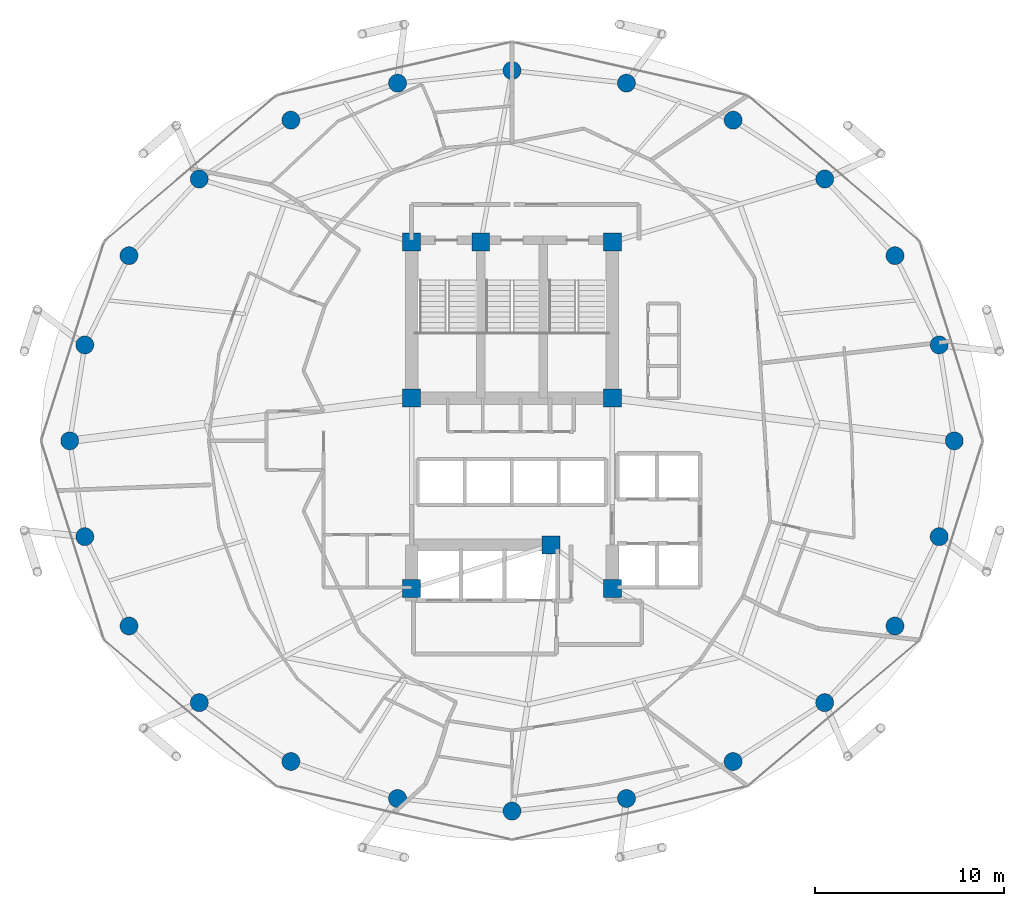
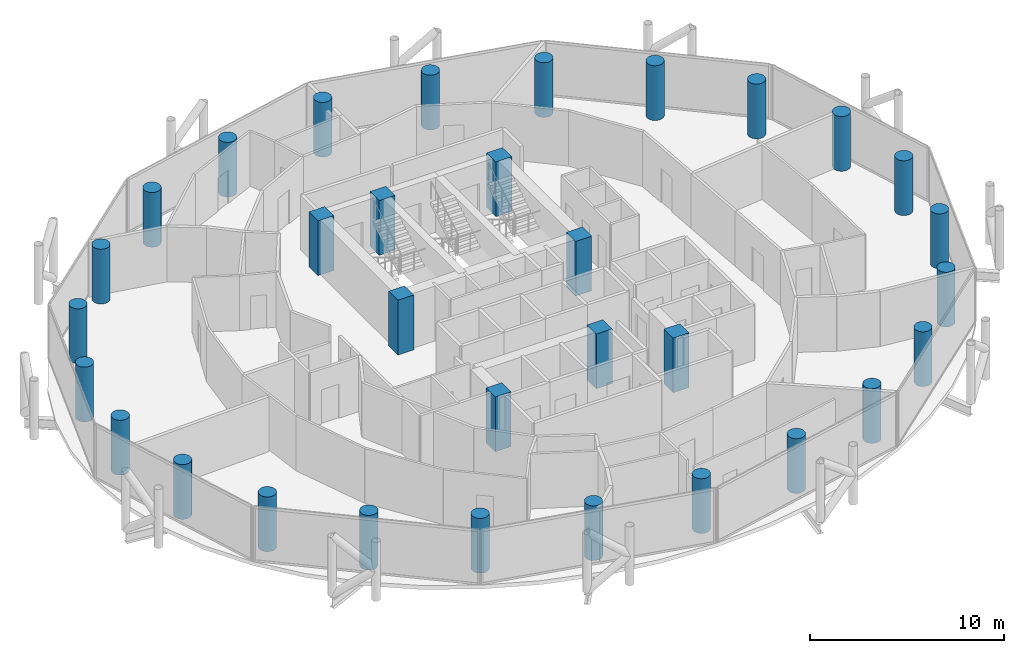
# One storey, part 1 of 26: 32 columns.
"""IFC4 building model written with IfcOpenShell, lengths in metres."""

from ifc_helpers import new_model, si_unit, direction, frame, origin, origin_2d, place, context, subcontext, project, spatial, rectangle, circle, extrude, material, material_profile, profile_set, type_object, element, save


model = new_model("IFC4")

# Units and contexts
model_context = context("Model", 3, precision=1e-05, world=origin(), true_north=direction((0.0, 1.0)))
body_context = subcontext(model_context, "Body", "Model", "MODEL_VIEW")
ifc_project = project(units=[si_unit("LENGTHUNIT", "METRE"), si_unit("AREAUNIT", "SQUARE_METRE"), si_unit("VOLUMEUNIT", "CUBIC_METRE"), si_unit("PLANEANGLEUNIT", "RADIAN"), si_unit("MASSUNIT", "GRAM", prefix="KILO")], contexts=[model_context])

# Site, building, storey
site_placement = place(None, origin())
site = spatial("IfcSite", under=ifc_project, at=site_placement, CompositionType="ELEMENT")
building_placement = place(site_placement, origin())
building = spatial("IfcBuilding", under=site, at=building_placement, Name="Nuhasar Tower", CompositionType="ELEMENT")
storey_placement = place(building_placement, frame((0.0, 0.0, 136.75)))
storey = spatial("IfcBuildingStorey", under=building, at=storey_placement, Name="L32", CompositionType="ELEMENT", Elevation=136.75)

# Columns
ifc_material = material(Name="Concrete C65/80", Category="concrete")
ifc_material_profile_1 = material_profile(ifc_material, circle(Radius=0.47509765625, at=origin_2d()), Name="CFT950")
ifc_profile_set_1 = profile_set([ifc_material_profile_1], Name="Concrete C65/80")
column_type_1 = type_object("IfcColumnType", Name="COL-CFT-950", PredefinedType="COLUMN", material=ifc_profile_set_1)
for number, where, z_axis, x_axis, name in (
    (1, (62.35009765625, 26.800048828125, 0.0), (0.0, 0.0, 1.0), (1.0, 0.0, 0.0), "L32 Perimeter Composite Column TC-01"),
    (2, (61.553955078125, 31.860107421875, 0.0), (0.0, 0.0, 1.0), (1.0, 0.0, 0.0), "L32 Perimeter Composite Column TC-02"),
    (3, (59.221923828125, 36.574951171875, 0.0), (0.0, 0.0, 1.0), (1.0, 0.0, 0.0), "L32 Perimeter Composite Column TC-03"),
    (4, (55.510986328125, 40.6240234375, 0.0), (0.0, 0.0, 1.0), (1.0, 0.0, 0.0), "L32 Perimeter Composite Column TC-04"),
    (5, (50.675048828125, 43.73095703125, 0.0), (0.0, 0.0, 1.0), (1.0, 0.0, 0.0), "L32 Perimeter Composite Column TC-05"),
    (6, (45.04296875, 45.68408203125, 0.0), (0.0, 0.0, 1.0), (1.0, 0.0, 0.0), "L32 Perimeter Composite Column TC-06"),
    (7, (39.0, 46.35009765625, 0.0), (0.0, 0.0, 1.0), (1.0, 0.0, 0.0), "L32 Perimeter Composite Column TC-07"),
    (8, (32.95703125, 45.68408203125, 0.0), (0.0, 0.0, 1.0), (1.0, 0.0, 0.0), "L32 Perimeter Composite Column TC-08"),
    (9, (27.324951171875, 43.73095703125, 0.0), (0.0, 0.0, 1.0), (1.0, 0.0, 0.0), "L32 Perimeter Composite Column TC-09"),
    (10, (22.489013671875, 40.6240234375, 0.0), (0.0, 0.0, 1.0), (1.0, 0.0, 0.0), "L32 Perimeter Composite Column TC-10"),
    (11, (18.778076171875, 36.574951171875, 0.0), (0.0, 0.0, 1.0), (1.0, 0.0, 0.0), "L32 Perimeter Composite Column TC-11"),
    (12, (16.446044921875, 31.860107421875, 0.0), (0.0, 0.0, 1.0), (1.0, 0.0, 0.0), "L32 Perimeter Composite Column TC-12"),
    (13, (15.64990234375, 26.800048828125, 0.0), (0.0, 0.0, 1.0), (1.0, 0.0, 0.0), "L32 Perimeter Composite Column TC-13"),
    (14, (16.446044921875, 21.739990234375, 0.0), (0.0, 0.0, 1.0), (1.0, 0.0, 0.0), "L32 Perimeter Composite Column TC-14"),
    (15, (18.778076171875, 17.02490234375, 0.0), (0.0, 0.0, 1.0), (1.0, 0.0, 0.0), "L32 Perimeter Composite Column TC-15"),
    (16, (22.489013671875, 12.97607421875, 0.0), (0.0, 0.0, 1.0), (1.0, 0.0, 0.0), "L32 Perimeter Composite Column TC-16"),
    (17, (27.324951171875, 9.868896484375, 0.0), (0.0, 0.0, 1.0), (1.0, 0.0, 0.0), "L32 Perimeter Composite Column TC-17"),
    (18, (32.95703125, 7.916015625, 0.0), (0.0, 0.0, 1.0), (1.0, 0.0, 0.0), "L32 Perimeter Composite Column TC-18"),
    (19, (39.0, 7.25, 0.0), (0.0, 0.0, 1.0), (1.0, 0.0, 0.0), "L32 Perimeter Composite Column TC-19"),
    (20, (45.04296875, 7.916015625, 0.0), (0.0, 0.0, 1.0), (1.0, 0.0, 0.0), "L32 Perimeter Composite Column TC-20"),
    (21, (50.675048828125, 9.868896484375, 0.0), (0.0, 0.0, 1.0), (1.0, 0.0, 0.0), "L32 Perimeter Composite Column TC-21"),
    (22, (55.510986328125, 12.97607421875, 0.0), (0.0, 0.0, 1.0), (1.0, 0.0, 0.0), "L32 Perimeter Composite Column TC-22"),
    (23, (59.221923828125, 17.02490234375, 0.0), (0.0, 0.0, 1.0), (1.0, 0.0, 0.0), "L32 Perimeter Composite Column TC-23"),
    (24, (61.553955078125, 21.739990234375, 0.0), (0.0, 0.0, 1.0), (1.0, 0.0, 0.0), "L32 Perimeter Composite Column TC-24"),
):
    element("IfcColumn", number, at=place(storey_placement, frame(where, z_axis=z_axis, x_axis=x_axis)), inside=storey, type_object=column_type_1, Name=name, PredefinedType="COLUMN", context=body_context, shape_type="SweptSolid", body=[
        extrude(circle(Radius=0.47509765625, at=origin_2d()), origin(), (0.0, 0.0, 1.0), 3.449951171875),
    ])
ifc_material_profile_2 = material_profile(ifc_material, rectangle(XDim=0.949951171875, YDim=0.949951171875, at=origin_2d()), Name="RC950X950")
ifc_profile_set_2 = profile_set([ifc_material_profile_2], Name="Concrete C65/80")
column_type_2 = type_object("IfcColumnType", Name="PIL-RC-950", PredefinedType="PILASTER", material=ifc_profile_set_2)
for number, where, z_axis, x_axis, name in (
    (25, (33.699951171875, 19.0, 0.0), (0.0, 0.0, 1.0), (1.0, 0.0, 0.0), "L32 Core Boundary Pilaster CC-01"),
    (26, (41.050048828125, 21.300048828125, 0.0), (0.0, 0.0, 1.0), (1.0, 0.0, 0.0), "L32 Core Boundary Pilaster CC-02"),
    (27, (44.300048828125, 19.0, 0.0), (0.0, 0.0, 1.0), (1.0, 0.0, 0.0), "L32 Core Boundary Pilaster CC-03"),
    (28, (44.300048828125, 29.050048828125, 0.0), (0.0, 0.0, 1.0), (1.0, 0.0, 0.0), "L32 Core Boundary Pilaster CC-04"),
    (29, (44.300048828125, 37.300048828125, 0.0), (0.0, 0.0, 1.0), (1.0, 0.0, 0.0), "L32 Core Boundary Pilaster CC-05"),
    (30, (37.35009765625, 37.300048828125, 0.0), (0.0, 0.0, 1.0), (1.0, 0.0, 0.0), "L32 Core Boundary Pilaster CC-06"),
    (31, (33.699951171875, 37.300048828125, 0.0), (0.0, 0.0, 1.0), (1.0, 0.0, 0.0), "L32 Core Boundary Pilaster CC-07"),
    (32, (33.699951171875, 29.050048828125, 0.0), (0.0, 0.0, 1.0), (1.0, 0.0, 0.0), "L32 Core Boundary Pilaster CC-08"),
):
    element("IfcColumn", number, at=place(storey_placement, frame(where, z_axis=z_axis, x_axis=x_axis)), inside=storey, type_object=column_type_2, Name=name, PredefinedType="PILASTER", context=body_context, shape_type="SweptSolid", body=[
        extrude(rectangle(XDim=0.949951171875, YDim=0.949951171875, at=origin_2d()), origin(), (0.0, 0.0, 1.0), 3.449951171875),
    ])

save(model, "model.ifc")
